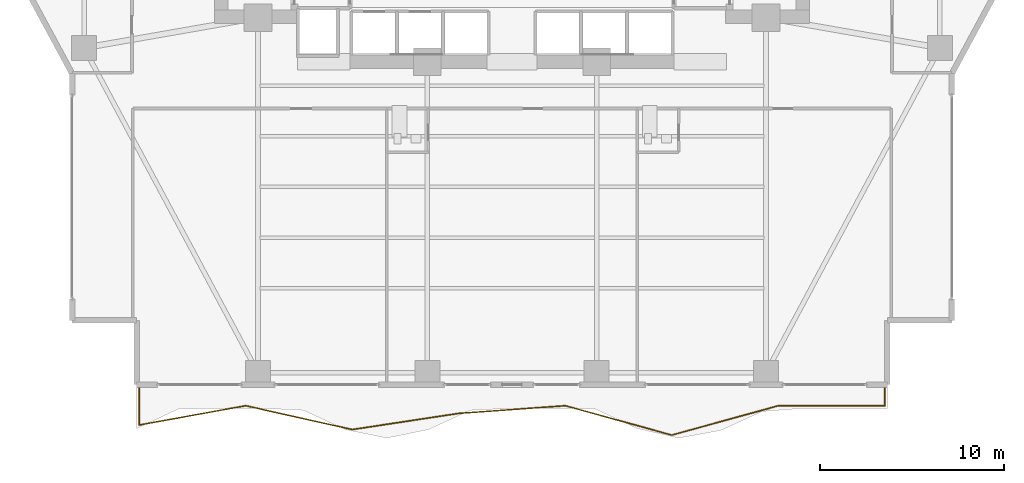
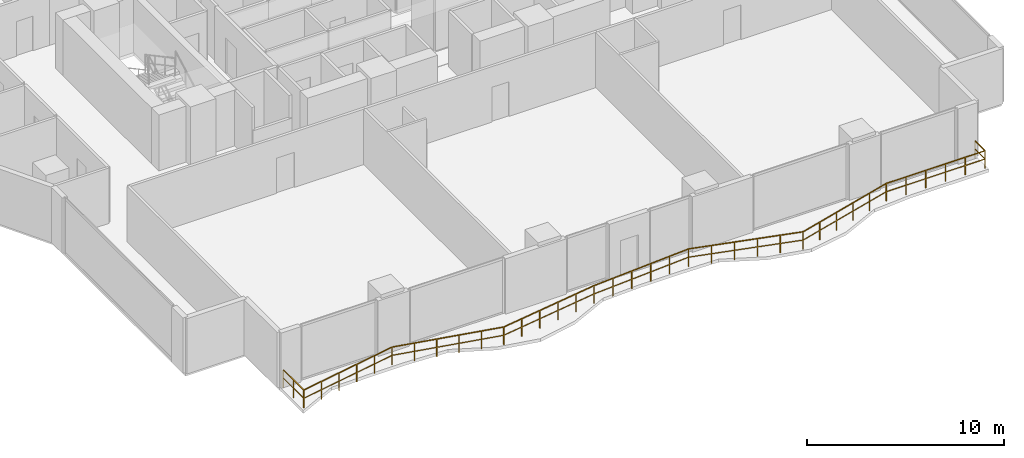
# One storey, part 25 of 28: 1 railing.
"""IFC4 building model written with IfcOpenShell, lengths in metres."""

from ifc_helpers import new_model, si_unit, direction, frame, origin, origin_2d, place, context, subcontext, project, spatial, rectangle, extrude, material, type_object, element, save


model = new_model("IFC4")

# Units and contexts
model_context = context("Model", 3, precision=1e-05, world=origin(), true_north=direction((0.0, 1.0)))
body_context = subcontext(model_context, "Body", "Model", "MODEL_VIEW")
ifc_project = project(units=[si_unit("LENGTHUNIT", "METRE"), si_unit("AREAUNIT", "SQUARE_METRE"), si_unit("VOLUMEUNIT", "CUBIC_METRE"), si_unit("PLANEANGLEUNIT", "RADIAN"), si_unit("MASSUNIT", "GRAM", prefix="KILO")], contexts=[model_context])

# Site, building, storey
site_placement = place(None, origin())
site = spatial("IfcSite", under=ifc_project, at=site_placement, CompositionType="ELEMENT")
building_placement = place(site_placement, origin())
building = spatial("IfcBuilding", under=site, at=building_placement, Name="Zuhayl Quay Hotel", CompositionType="ELEMENT")
storey_placement = place(building_placement, frame((0.0, 0.0, 110.25)))
storey = spatial("IfcBuildingStorey", under=building, at=storey_placement, Name="L27", CompositionType="ELEMENT", Elevation=110.25)

# Railing
ifc_material = material(Name="Anodised Aluminium and Laminated Glass", Category="aluminium")
railing_type = type_object("IfcRailingType", Name="RL_EXT_BAL_1100", PredefinedType="BALUSTRADE", material=ifc_material)
railing_placement = place(storey_placement, frame((-20.260009765625, -15.52001953125, 0.0)))
element("IfcRailing", 1, at=railing_placement, inside=storey, type_object=railing_type, Name="L27 Balcony and Terrace Guard GR_L27_BAL_S", PredefinedType="BALUSTRADE", context=body_context, shape_type="SweptSolid", body=[
    extrude(rectangle(XDim=0.048095703125, YDim=0.048095703125, at=origin_2d()), frame((0.0, 0.0, 1.09619140625), z_axis=(0.0, -1.0, 0.0), x_axis=(1.0, 0.0, 0.0)), (0.0, 0.0, 1.0), 2.068115234375),
    extrude(rectangle(XDim=0.0361328125, YDim=0.0361328125, at=origin_2d()), frame((0.0, 0.0, 0.58251953125), z_axis=(0.0, -1.0, 0.0), x_axis=(1.0, 0.0, 0.0)), (0.0, 0.0, 1.0), 2.068115234375),
    extrude(rectangle(XDim=0.048095703125, YDim=0.048095703125, at=origin_2d()), frame((0.0, -2.068115234375, 1.09619140625), z_axis=(0.984000459752, 0.178165920444, 0.0), x_axis=(-0.178165920444, 0.984000459752, 0.0)), (0.0, 0.0, 1.0), 5.8828125),
    extrude(rectangle(XDim=0.0361328125, YDim=0.0361328125, at=origin_2d()), frame((0.0, -2.068115234375, 0.58251953125), z_axis=(0.984000459752, 0.178165920444, 0.0), x_axis=(-0.178165920444, 0.984000459752, 0.0)), (0.0, 0.0, 1.0), 5.8828125),
    extrude(rectangle(XDim=0.048095703125, YDim=0.048095703125, at=origin_2d()), frame((5.78857421875, -1.02001953125, 1.09619140625), z_axis=(0.975932645512, -0.21807217022, 0.0), x_axis=(0.21807217022, 0.975932645512, 0.0)), (0.0, 0.0, 1.0), 5.931396484375),
    extrude(rectangle(XDim=0.0361328125, YDim=0.0361328125, at=origin_2d()), frame((5.78857421875, -1.02001953125, 0.58251953125), z_axis=(0.975932645512, -0.21807217022, 0.0), x_axis=(0.21807217022, 0.975932645512, 0.0)), (0.0, 0.0, 1.0), 5.931396484375),
    extrude(rectangle(XDim=0.048095703125, YDim=0.048095703125, at=origin_2d()), frame((11.5771484375, -2.3134765625, 1.09619140625), z_axis=(0.988711947824, 0.14982884979, 0.0), x_axis=(-0.14982884979, 0.988711947824, 0.0)), (0.0, 0.0, 1.0), 5.854736328125),
    extrude(rectangle(XDim=0.0361328125, YDim=0.0361328125, at=origin_2d()), frame((11.5771484375, -2.3134765625, 0.58251953125), z_axis=(0.988711947824, 0.14982884979, 0.0), x_axis=(-0.14982884979, 0.988711947824, 0.0)), (0.0, 0.0, 1.0), 5.854736328125),
    extrude(rectangle(XDim=0.048095703125, YDim=0.048095703125, at=origin_2d()), frame((17.36572265625, -1.436279296875, 1.09619140625), z_axis=(0.997424418504, 0.071725374675, 0.0), x_axis=(-0.071725374675, 0.997424418504, 0.0)), (0.0, 0.0, 1.0), 5.803466796875),
    extrude(rectangle(XDim=0.0361328125, YDim=0.0361328125, at=origin_2d()), frame((17.36572265625, -1.436279296875, 0.58251953125), z_axis=(0.997424418504, 0.071725374675, 0.0), x_axis=(-0.071725374675, 0.997424418504, 0.0)), (0.0, 0.0, 1.0), 5.803466796875),
    extrude(rectangle(XDim=0.048095703125, YDim=0.048095703125, at=origin_2d()), frame((23.154296875, -1.02001953125, 1.09619140625), z_axis=(0.964103961857, -0.265525047277, 0.0), x_axis=(0.265525047277, 0.964103961857, 0.0)), (0.0, 0.0, 1.0), 6.004150390625),
    extrude(rectangle(XDim=0.0361328125, YDim=0.0361328125, at=origin_2d()), frame((23.154296875, -1.02001953125, 0.58251953125), z_axis=(0.964103961857, -0.265525047277, 0.0), x_axis=(0.265525047277, 0.964103961857, 0.0)), (0.0, 0.0, 1.0), 6.004150390625),
    extrude(rectangle(XDim=0.048095703125, YDim=0.048095703125, at=origin_2d()), frame((28.94287109375, -2.6142578125, 1.09619140625), z_axis=(0.964103961857, 0.265525047277, 0.0), x_axis=(-0.265525047277, 0.964103961857, 0.0)), (0.0, 0.0, 1.0), 6.004150390625),
    extrude(rectangle(XDim=0.0361328125, YDim=0.0361328125, at=origin_2d()), frame((28.94287109375, -2.6142578125, 0.58251953125), z_axis=(0.964103961857, 0.265525047277, 0.0), x_axis=(-0.265525047277, 0.964103961857, 0.0)), (0.0, 0.0, 1.0), 6.004150390625),
    extrude(rectangle(XDim=0.048095703125, YDim=0.048095703125, at=origin_2d()), frame((34.7314453125, -1.02001953125, 1.09619140625), z_axis=(1.0, 0.0, 0.0), x_axis=(0.0, 1.0, 0.0)), (0.0, 0.0, 1.0), 5.78857421875),
    extrude(rectangle(XDim=0.0361328125, YDim=0.0361328125, at=origin_2d()), frame((34.7314453125, -1.02001953125, 0.58251953125), z_axis=(1.0, 0.0, 0.0), x_axis=(0.0, 1.0, 0.0)), (0.0, 0.0, 1.0), 5.78857421875),
    extrude(rectangle(XDim=0.048095703125, YDim=0.048095703125, at=origin_2d()), frame((40.52001953125, -1.02001953125, 1.09619140625), z_axis=(0.0, 1.0, 0.0), x_axis=(-1.0, 0.0, 0.0)), (0.0, 0.0, 1.0), 1.02001953125),
    extrude(rectangle(XDim=0.0361328125, YDim=0.0361328125, at=origin_2d()), frame((40.52001953125, -1.02001953125, 0.58251953125), z_axis=(0.0, 1.0, 0.0), x_axis=(-1.0, 0.0, 0.0)), (0.0, 0.0, 1.0), 1.02001953125),
    extrude(rectangle(XDim=0.0419921875, YDim=0.0419921875, at=origin_2d()), origin(), (0.0, 0.0, 1.0), 1.072021484375),
    extrude(rectangle(XDim=0.0419921875, YDim=0.0419921875, at=origin_2d()), frame((0.0, -1.0341796875, 0.0)), (0.0, 0.0, 1.0), 1.072021484375),
    extrude(rectangle(XDim=0.0419921875, YDim=0.0419921875, at=origin_2d()), frame((0.0, -2.068115234375, 0.0)), (0.0, 0.0, 1.0), 1.072021484375),
    extrude(rectangle(XDim=0.0419921875, YDim=0.0419921875, at=origin_2d()), frame((1.15771484375, -1.8583984375, 0.0)), (0.0, 0.0, 1.0), 1.072021484375),
    extrude(rectangle(XDim=0.0419921875, YDim=0.0419921875, at=origin_2d()), frame((2.3154296875, -1.64892578125, 0.0)), (0.0, 0.0, 1.0), 1.072021484375),
    extrude(rectangle(XDim=0.0419921875, YDim=0.0419921875, at=origin_2d()), frame((3.47314453125, -1.439208984375, 0.0)), (0.0, 0.0, 1.0), 1.072021484375),
    extrude(rectangle(XDim=0.0419921875, YDim=0.0419921875, at=origin_2d()), frame((4.630859375, -1.229736328125, 0.0)), (0.0, 0.0, 1.0), 1.072021484375),
    extrude(rectangle(XDim=0.0419921875, YDim=0.0419921875, at=origin_2d()), frame((5.78857421875, -1.02001953125, 0.0)), (0.0, 0.0, 1.0), 1.072021484375),
    extrude(rectangle(XDim=0.0419921875, YDim=0.0419921875, at=origin_2d()), frame((6.9462890625, -1.27880859375, 0.0)), (0.0, 0.0, 1.0), 1.072021484375),
    extrude(rectangle(XDim=0.0419921875, YDim=0.0419921875, at=origin_2d()), frame((8.10400390625, -1.537353515625, 0.0)), (0.0, 0.0, 1.0), 1.072021484375),
    extrude(rectangle(XDim=0.0419921875, YDim=0.0419921875, at=origin_2d()), frame((9.26171875, -1.796142578125, 0.0)), (0.0, 0.0, 1.0), 1.072021484375),
    extrude(rectangle(XDim=0.0419921875, YDim=0.0419921875, at=origin_2d()), frame((10.41943359375, -2.0546875, 0.0)), (0.0, 0.0, 1.0), 1.072021484375),
    extrude(rectangle(XDim=0.0419921875, YDim=0.0419921875, at=origin_2d()), frame((11.5771484375, -2.3134765625, 0.0)), (0.0, 0.0, 1.0), 1.072021484375),
    extrude(rectangle(XDim=0.0419921875, YDim=0.0419921875, at=origin_2d()), frame((12.73486328125, -2.137939453125, 0.0)), (0.0, 0.0, 1.0), 1.072021484375),
    extrude(rectangle(XDim=0.0419921875, YDim=0.0419921875, at=origin_2d()), frame((13.892578125, -1.962646484375, 0.0)), (0.0, 0.0, 1.0), 1.072021484375),
    extrude(rectangle(XDim=0.0419921875, YDim=0.0419921875, at=origin_2d()), frame((15.05029296875, -1.787109375, 0.0)), (0.0, 0.0, 1.0), 1.072021484375),
    extrude(rectangle(XDim=0.0419921875, YDim=0.0419921875, at=origin_2d()), frame((16.2080078125, -1.61181640625, 0.0)), (0.0, 0.0, 1.0), 1.072021484375),
    extrude(rectangle(XDim=0.0419921875, YDim=0.0419921875, at=origin_2d()), frame((17.36572265625, -1.436279296875, 0.0)), (0.0, 0.0, 1.0), 1.072021484375),
    extrude(rectangle(XDim=0.0419921875, YDim=0.0419921875, at=origin_2d()), frame((18.5234375, -1.35302734375, 0.0)), (0.0, 0.0, 1.0), 1.072021484375),
    extrude(rectangle(XDim=0.0419921875, YDim=0.0419921875, at=origin_2d()), frame((19.68115234375, -1.269775390625, 0.0)), (0.0, 0.0, 1.0), 1.072021484375),
    extrude(rectangle(XDim=0.0419921875, YDim=0.0419921875, at=origin_2d()), frame((20.8388671875, -1.1865234375, 0.0)), (0.0, 0.0, 1.0), 1.072021484375),
    extrude(rectangle(XDim=0.0419921875, YDim=0.0419921875, at=origin_2d()), frame((21.99658203125, -1.103271484375, 0.0)), (0.0, 0.0, 1.0), 1.072021484375),
    extrude(rectangle(XDim=0.0419921875, YDim=0.0419921875, at=origin_2d()), frame((23.154296875, -1.02001953125, 0.0)), (0.0, 0.0, 1.0), 1.072021484375),
    extrude(rectangle(XDim=0.0419921875, YDim=0.0419921875, at=origin_2d()), frame((24.31201171875, -1.3388671875, 0.0)), (0.0, 0.0, 1.0), 1.072021484375),
    extrude(rectangle(XDim=0.0419921875, YDim=0.0419921875, at=origin_2d()), frame((25.4697265625, -1.65771484375, 0.0)), (0.0, 0.0, 1.0), 1.072021484375),
    extrude(rectangle(XDim=0.0419921875, YDim=0.0419921875, at=origin_2d()), frame((26.62744140625, -1.9765625, 0.0)), (0.0, 0.0, 1.0), 1.072021484375),
    extrude(rectangle(XDim=0.0419921875, YDim=0.0419921875, at=origin_2d()), frame((27.78515625, -2.29541015625, 0.0)), (0.0, 0.0, 1.0), 1.072021484375),
    extrude(rectangle(XDim=0.0419921875, YDim=0.0419921875, at=origin_2d()), frame((28.94287109375, -2.6142578125, 0.0)), (0.0, 0.0, 1.0), 1.072021484375),
    extrude(rectangle(XDim=0.0419921875, YDim=0.0419921875, at=origin_2d()), frame((30.1005859375, -2.29541015625, 0.0)), (0.0, 0.0, 1.0), 1.072021484375),
    extrude(rectangle(XDim=0.0419921875, YDim=0.0419921875, at=origin_2d()), frame((31.25830078125, -1.9765625, 0.0)), (0.0, 0.0, 1.0), 1.072021484375),
    extrude(rectangle(XDim=0.0419921875, YDim=0.0419921875, at=origin_2d()), frame((32.416015625, -1.65771484375, 0.0)), (0.0, 0.0, 1.0), 1.072021484375),
    extrude(rectangle(XDim=0.0419921875, YDim=0.0419921875, at=origin_2d()), frame((33.57373046875, -1.3388671875, 0.0)), (0.0, 0.0, 1.0), 1.072021484375),
    extrude(rectangle(XDim=0.0419921875, YDim=0.0419921875, at=origin_2d()), frame((34.7314453125, -1.02001953125, 0.0)), (0.0, 0.0, 1.0), 1.072021484375),
    extrude(rectangle(XDim=0.0419921875, YDim=0.0419921875, at=origin_2d()), frame((35.88916015625, -1.02001953125, 0.0)), (0.0, 0.0, 1.0), 1.072021484375),
    extrude(rectangle(XDim=0.0419921875, YDim=0.0419921875, at=origin_2d()), frame((37.046875, -1.02001953125, 0.0)), (0.0, 0.0, 1.0), 1.072021484375),
    extrude(rectangle(XDim=0.0419921875, YDim=0.0419921875, at=origin_2d()), frame((38.20458984375, -1.02001953125, 0.0)), (0.0, 0.0, 1.0), 1.072021484375),
    extrude(rectangle(XDim=0.0419921875, YDim=0.0419921875, at=origin_2d()), frame((39.3623046875, -1.02001953125, 0.0)), (0.0, 0.0, 1.0), 1.072021484375),
    extrude(rectangle(XDim=0.0419921875, YDim=0.0419921875, at=origin_2d()), frame((40.52001953125, -1.02001953125, 0.0)), (0.0, 0.0, 1.0), 1.072021484375),
    extrude(rectangle(XDim=0.0419921875, YDim=0.0419921875, at=origin_2d()), frame((40.52001953125, 0.0, 0.0)), (0.0, 0.0, 1.0), 1.072021484375),
])

save(model, "model.ifc")
